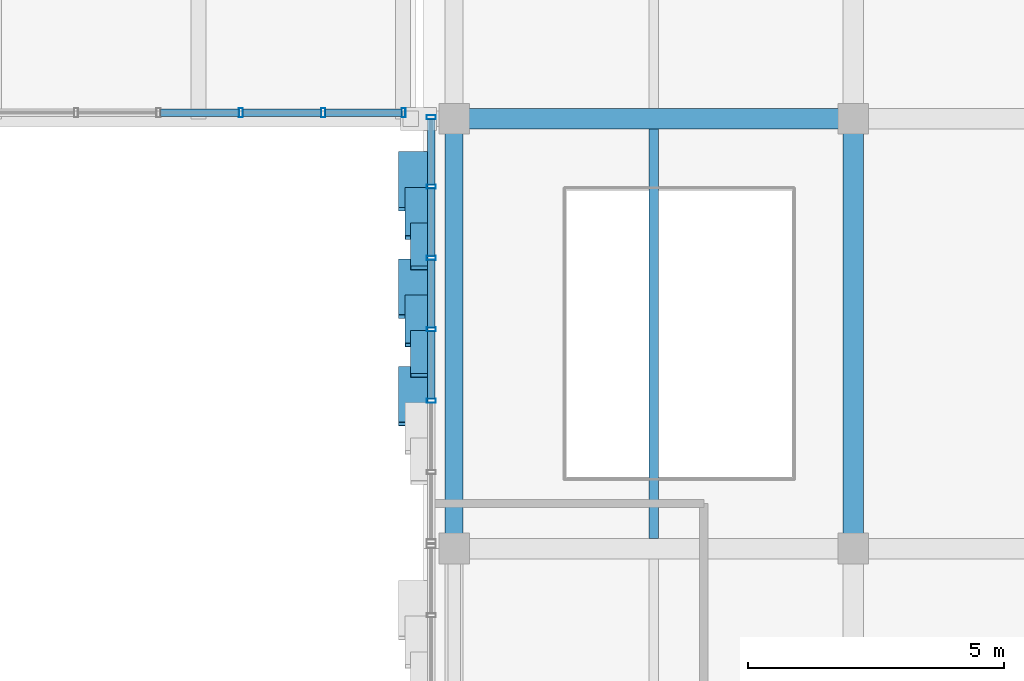
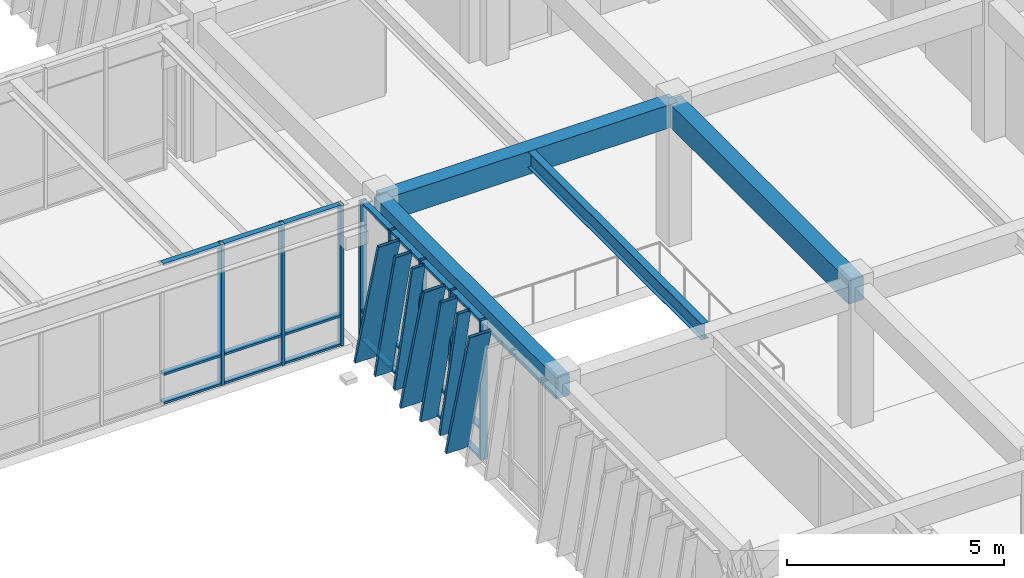
# One storey, part 62 of 127: 36 members, 4 beams, 2 elements without a shape of their own.
"""IFC4 building model written with IfcOpenShell, lengths in metres."""

from ifc_helpers import new_model, si_unit, direction, frame, origin, origin_2d, place, context, subcontext, project, spatial, rectangle, hollow_rectangle, i_section, extrude, material, layer, layer_set, material_profile, profile_set, type_object, element, aggregate, save


model = new_model("IFC4")

# Units and contexts
model_context = context("Model", 3, precision=1e-05, world=origin(), true_north=direction((0.0, 1.0)))
body_context = subcontext(model_context, "Body", "Model", "MODEL_VIEW")
ifc_project = project(units=[si_unit("LENGTHUNIT", "METRE"), si_unit("AREAUNIT", "SQUARE_METRE"), si_unit("VOLUMEUNIT", "CUBIC_METRE"), si_unit("PLANEANGLEUNIT", "RADIAN"), si_unit("MASSUNIT", "GRAM", prefix="KILO")], contexts=[model_context])

# Site, building, storey
site_placement = place(None, origin())
site = spatial("IfcSite", under=ifc_project, at=site_placement, CompositionType="ELEMENT")
building_placement = place(site_placement, origin())
building = spatial("IfcBuilding", under=site, at=building_placement, Name="Zayran Congress Hotel", CompositionType="ELEMENT")
storey_placement = place(building_placement, frame((0.0, 0.0, 10.800048828125)))
storey = spatial("IfcBuildingStorey", under=building, at=storey_placement, Name="L02", CompositionType="ELEMENT", Elevation=10.800048828125)

# Beams
ifc_material_1 = material(Name="Concrete C40/50", Category="concrete")
ifc_material_profile_1 = material_profile(ifc_material_1, rectangle(XDim=0.39990234375, YDim=0.64990234375, at=origin_2d()), Name="RC 400x650")
ifc_profile_set_1 = profile_set([ifc_material_profile_1], Name="Concrete C40/50")
beam_type_1 = type_object("IfcBeamType", Name="TP-BM-03", PredefinedType="BEAM", material=ifc_profile_set_1)
beam_1_placement = place(storey_placement, frame((109.800048828125, 76.0, 3.594970703125), z_axis=(1.0, 0.0, 0.0), x_axis=(0.0, 1.0, 0.0)))
element("IfcBeam", 1, at=beam_1_placement, inside=storey, type_object=beam_type_1, Name="BM-V4-L02-1424", PredefinedType="BEAM", context=body_context, shape_type="SweptSolid", body=[
    extrude(rectangle(XDim=0.39990234375, YDim=0.64990234375, at=origin_2d()), origin(), (0.0, 0.0, 1.0), 7.800048828125),
])
beam_2_placement = place(storey_placement, frame((117.60009765625, 67.60009765625, 3.594970703125), z_axis=(0.0, 1.0, 0.0), x_axis=(-1.0, 0.0, 0.0)))
element("IfcBeam", 2, at=beam_2_placement, inside=storey, type_object=beam_type_1, Name="BM-V4-L02-1449", PredefinedType="BEAM", context=body_context, shape_type="SweptSolid", body=[
    extrude(rectangle(XDim=0.39990234375, YDim=0.64990234375, at=origin_2d()), origin(), (0.0, 0.0, 1.0), 8.39990234375),
])
ifc_material_profile_2 = material_profile(ifc_material_1, rectangle(XDim=0.35009765625, YDim=0.60009765625, at=origin_2d()), Name="RC 350x600")
ifc_profile_set_2 = profile_set([ifc_material_profile_2], Name="Concrete C40/50")
beam_type_2 = type_object("IfcBeamType", Name="TP-SP-01", PredefinedType="SPANDREL", material=ifc_profile_set_2)
beam_3_placement = place(storey_placement, frame((109.800048828125, 67.60009765625, 3.619873046875), z_axis=(0.0, 1.0, 0.0), x_axis=(-1.0, 0.0, 0.0)))
element("IfcBeam", 3, at=beam_3_placement, inside=storey, type_object=beam_type_2, Name="BM-V4-L02-1442", PredefinedType="SPANDREL", context=body_context, shape_type="SweptSolid", body=[
    extrude(rectangle(XDim=0.35009765625, YDim=0.60009765625, at=origin_2d()), origin(), (0.0, 0.0, 1.0), 8.39990234375),
])
ifc_material_2 = material(Name="Steel S355", Category="steel")
ifc_material_profile_3 = material_profile(ifc_material_2, i_section(OverallWidth=0.18994140625, OverallDepth=0.449951171875, WebThickness=0.009521484375, FlangeThickness=0.0146484375, at=origin_2d()), Name="IPE 450")
ifc_profile_set_3 = profile_set([ifc_material_profile_3], Name="Steel S355")
beam_type_3 = type_object("IfcBeamType", Name="TP-JS-02", PredefinedType="JOIST", material=ifc_profile_set_3)
beam_4_placement = place(storey_placement, frame((113.699951171875, 67.800048828125, 3.695068359375), z_axis=(0.0, 1.0, 0.0), x_axis=(-1.0, 0.0, 0.0)))
element("IfcBeam", 4, at=beam_4_placement, inside=storey, type_object=beam_type_3, Name="JST-V4-L02-1472", PredefinedType="JOIST", context=body_context, shape_type="SweptSolid", body=[
    extrude(i_section(OverallWidth=0.18994140625, OverallDepth=0.449951171875, WebThickness=0.009521484375, FlangeThickness=0.0146484375, at=origin_2d()), origin(), (0.0, 0.0, 1.0), 8.0),
])

# Curtain wall, members
ifc_material_3 = material(Name="Anodised aluminium and low-E insulated glass", Category="aluminium")
ifc_layer_1 = layer(ifc_material_3, 0.179931640625)
ifc_layer_set_1 = layer_set([ifc_layer_1], Name="Anodised aluminium and low-E insulated glass")
curtain_wall_type_1 = type_object("IfcCurtainWallType", Name="CW-V4W-L02-CW-51-8371-3920", PredefinedType="USERDEFINED", material=ifc_layer_set_1)
curtain_wall_1_placement = place(storey_placement, origin())
curtain_wall_1 = element("IfcCurtainWall", 5, at=curtain_wall_1_placement, inside=storey, type_object=curtain_wall_type_1, Name="CW-V4W-L02-3", ObjectType="CURTAIN WALL", PredefinedType="USERDEFINED")
ifc_material_4 = material(Name="Anodised aluminium framing", Category="aluminium")
ifc_material_profile_4 = material_profile(ifc_material_4, hollow_rectangle(XDim=0.080078125, YDim=0.179931640625, WallThickness=0.0048828125, at=origin_2d()), Name="RHS 180x80x5")
ifc_profile_set_4 = profile_set([ifc_material_profile_4], Name="Anodised aluminium framing")
member_type_1 = type_object("IfcMemberType", Name="TP-CWM-01", PredefinedType="MULLION", material=ifc_profile_set_4)
member_1_placement = place(storey_placement, frame((109.35009765625, 76.030029296875, 0.0), z_axis=(0.0, 0.0, 1.0), x_axis=(0.0, 1.0, 0.0)))
member_1 = element("IfcMember", 6, at=member_1_placement, type_object=member_type_1, Name="CW-V4W-L02-3-M00", PredefinedType="MULLION", context=body_context, shape_type="SweptSolid", body=[
    extrude(hollow_rectangle(XDim=0.080078125, YDim=0.179931640625, WallThickness=0.0048828125, at=origin_2d()), origin(), (0.0, 0.0, 1.0), 3.919921875),
])
member_2_placement = place(storey_placement, frame((109.35009765625, 74.6748046875, 0.0), z_axis=(0.0, 0.0, 1.0), x_axis=(0.0, 1.0, 0.0)))
member_2 = element("IfcMember", 7, at=member_2_placement, type_object=member_type_1, Name="CW-V4W-L02-3-M01", PredefinedType="MULLION", context=body_context, shape_type="SweptSolid", body=[
    extrude(hollow_rectangle(XDim=0.080078125, YDim=0.179931640625, WallThickness=0.0048828125, at=origin_2d()), origin(), (0.0, 0.0, 1.0), 3.919921875),
])
member_3_placement = place(storey_placement, frame((109.35009765625, 73.27978515625, 0.0), z_axis=(0.0, 0.0, 1.0), x_axis=(0.0, 1.0, 0.0)))
member_3 = element("IfcMember", 8, at=member_3_placement, type_object=member_type_1, Name="CW-V4W-L02-3-M02", PredefinedType="MULLION", context=body_context, shape_type="SweptSolid", body=[
    extrude(hollow_rectangle(XDim=0.080078125, YDim=0.179931640625, WallThickness=0.0048828125, at=origin_2d()), origin(), (0.0, 0.0, 1.0), 3.919921875),
])
member_4_placement = place(storey_placement, frame((109.35009765625, 71.884521484375, 0.0), z_axis=(0.0, 0.0, 1.0), x_axis=(0.0, 1.0, 0.0)))
member_4 = element("IfcMember", 9, at=member_4_placement, type_object=member_type_1, Name="CW-V4W-L02-3-M03", PredefinedType="MULLION", context=body_context, shape_type="SweptSolid", body=[
    extrude(hollow_rectangle(XDim=0.080078125, YDim=0.179931640625, WallThickness=0.0048828125, at=origin_2d()), origin(), (0.0, 0.0, 1.0), 3.919921875),
])
member_5_placement = place(storey_placement, frame((109.35009765625, 70.4892578125, 0.0), z_axis=(0.0, 0.0, 1.0), x_axis=(0.0, 1.0, 0.0)))
member_5 = element("IfcMember", 10, at=member_5_placement, type_object=member_type_1, Name="CW-V4W-L02-3-M04", PredefinedType="MULLION", context=body_context, shape_type="SweptSolid", body=[
    extrude(hollow_rectangle(XDim=0.080078125, YDim=0.179931640625, WallThickness=0.0048828125, at=origin_2d()), origin(), (0.0, 0.0, 1.0), 3.919921875),
])

ifc_layer_2 = layer(ifc_material_3, 0.179931640625)
ifc_layer_set_2 = layer_set([ifc_layer_2], Name="Anodised aluminium and low-E insulated glass")
curtain_wall_type_2 = type_object("IfcCurtainWallType", Name="CW-BR1-L02-CW-BR1-16100-3960", PredefinedType="USERDEFINED", material=ifc_layer_set_2)
curtain_wall_2_placement = place(storey_placement, origin())
curtain_wall_2 = element("IfcCurtainWall", 11, at=curtain_wall_2_placement, inside=storey, type_object=curtain_wall_type_2, Name="CW-BR1S-L02", ObjectType="CURTAIN WALL", PredefinedType="USERDEFINED")
member_6_placement = place(storey_placement, frame((105.6298828125, 76.1201171875, 0.0), z_axis=(0.0, 0.0, 1.0), x_axis=(1.0, 0.0, 0.0)))
member_6 = element("IfcMember", 12, at=member_6_placement, type_object=member_type_1, Name="CW-BR1S-L02-M08", PredefinedType="MULLION", context=body_context, shape_type="SweptSolid", body=[
    extrude(hollow_rectangle(XDim=0.080078125, YDim=0.179931640625, WallThickness=0.0048828125, at=origin_2d()), origin(), (0.0, 0.0, 1.0), 3.9599609375),
])
member_7_placement = place(storey_placement, frame((107.239990234375, 76.1201171875, 0.0), z_axis=(0.0, 0.0, 1.0), x_axis=(1.0, 0.0, 0.0)))
member_7 = element("IfcMember", 13, at=member_7_placement, type_object=member_type_1, Name="CW-BR1S-L02-M09", PredefinedType="MULLION", context=body_context, shape_type="SweptSolid", body=[
    extrude(hollow_rectangle(XDim=0.080078125, YDim=0.179931640625, WallThickness=0.0048828125, at=origin_2d()), origin(), (0.0, 0.0, 1.0), 3.9599609375),
])
member_8_placement = place(storey_placement, frame((108.81005859375, 76.1201171875, 0.0), z_axis=(0.0, 0.0, 1.0), x_axis=(1.0, 0.0, 0.0)))
member_8 = element("IfcMember", 14, at=member_8_placement, type_object=member_type_1, Name="CW-BR1S-L02-M10", PredefinedType="MULLION", context=body_context, shape_type="SweptSolid", body=[
    extrude(hollow_rectangle(XDim=0.080078125, YDim=0.179931640625, WallThickness=0.0048828125, at=origin_2d()), origin(), (0.0, 0.0, 1.0), 3.9599609375),
])

# Member
ifc_material_profile_5 = material_profile(ifc_material_4, hollow_rectangle(XDim=0.06005859375, YDim=0.14990234375, WallThickness=0.00390625, at=origin_2d()), Name="RHS 150x60x4")
ifc_profile_set_5 = profile_set([ifc_material_profile_5], Name="Anodised aluminium framing")
member_type_2 = type_object("IfcMemberType", Name="TP-CWT-01", PredefinedType="USERDEFINED", material=ifc_profile_set_5)
member_9_placement = place(storey_placement, frame((109.35009765625, 75.989990234375, 0.030029296875), z_axis=(0.0, -1.0, 0.0), x_axis=(0.0, 0.0, 1.0)))
member_9 = element("IfcMember", 15, at=member_9_placement, type_object=member_type_2, Name="CW-V4W-L02-3-T00-0", ObjectType="TRANSOM", PredefinedType="USERDEFINED", context=body_context, shape_type="SweptSolid", body=[
    extrude(hollow_rectangle(XDim=0.06005859375, YDim=0.14990234375, WallThickness=0.00390625, at=origin_2d()), origin(), (0.0, 0.0, 1.0), 1.275146484375),
])

member_10_placement = place(storey_placement, frame((109.35009765625, 75.989990234375, 0.83984375), z_axis=(0.0, -1.0, 0.0), x_axis=(0.0, 0.0, 1.0)))
member_10 = element("IfcMember", 16, at=member_10_placement, type_object=member_type_2, Name="CW-V4W-L02-3-T00-1", ObjectType="TRANSOM", PredefinedType="USERDEFINED", context=body_context, shape_type="SweptSolid", body=[
    extrude(hollow_rectangle(XDim=0.06005859375, YDim=0.14990234375, WallThickness=0.00390625, at=origin_2d()), origin(), (0.0, 0.0, 1.0), 1.275146484375),
])

member_11_placement = place(storey_placement, frame((109.35009765625, 75.989990234375, 3.889892578125), z_axis=(0.0, -1.0, 0.0), x_axis=(0.0, 0.0, 1.0)))
member_11 = element("IfcMember", 17, at=member_11_placement, type_object=member_type_2, Name="CW-V4W-L02-3-T00-2", ObjectType="TRANSOM", PredefinedType="USERDEFINED", context=body_context, shape_type="SweptSolid", body=[
    extrude(hollow_rectangle(XDim=0.06005859375, YDim=0.14990234375, WallThickness=0.00390625, at=origin_2d()), origin(), (0.0, 0.0, 1.0), 1.275146484375),
])

member_12_placement = place(storey_placement, frame((109.35009765625, 74.634765625, 0.030029296875), z_axis=(0.0, -1.0, 0.0), x_axis=(0.0, 0.0, 1.0)))
member_12 = element("IfcMember", 18, at=member_12_placement, type_object=member_type_2, Name="CW-V4W-L02-3-T01-0", ObjectType="TRANSOM", PredefinedType="USERDEFINED", context=body_context, shape_type="SweptSolid", body=[
    extrude(hollow_rectangle(XDim=0.06005859375, YDim=0.14990234375, WallThickness=0.00390625, at=origin_2d()), origin(), (0.0, 0.0, 1.0), 1.315185546875),
])

member_13_placement = place(storey_placement, frame((109.35009765625, 74.634765625, 0.83984375), z_axis=(0.0, -1.0, 0.0), x_axis=(0.0, 0.0, 1.0)))
member_13 = element("IfcMember", 19, at=member_13_placement, type_object=member_type_2, Name="CW-V4W-L02-3-T01-1", ObjectType="TRANSOM", PredefinedType="USERDEFINED", context=body_context, shape_type="SweptSolid", body=[
    extrude(hollow_rectangle(XDim=0.06005859375, YDim=0.14990234375, WallThickness=0.00390625, at=origin_2d()), origin(), (0.0, 0.0, 1.0), 1.315185546875),
])

member_14_placement = place(storey_placement, frame((109.35009765625, 74.634765625, 3.889892578125), z_axis=(0.0, -1.0, 0.0), x_axis=(0.0, 0.0, 1.0)))
member_14 = element("IfcMember", 20, at=member_14_placement, type_object=member_type_2, Name="CW-V4W-L02-3-T01-2", ObjectType="TRANSOM", PredefinedType="USERDEFINED", context=body_context, shape_type="SweptSolid", body=[
    extrude(hollow_rectangle(XDim=0.06005859375, YDim=0.14990234375, WallThickness=0.00390625, at=origin_2d()), origin(), (0.0, 0.0, 1.0), 1.315185546875),
])

member_15_placement = place(storey_placement, frame((109.35009765625, 73.23974609375, 0.030029296875), z_axis=(0.0, -1.0, 0.0), x_axis=(0.0, 0.0, 1.0)))
member_15 = element("IfcMember", 21, at=member_15_placement, type_object=member_type_2, Name="CW-V4W-L02-3-T02-0", ObjectType="TRANSOM", PredefinedType="USERDEFINED", context=body_context, shape_type="SweptSolid", body=[
    extrude(hollow_rectangle(XDim=0.06005859375, YDim=0.14990234375, WallThickness=0.00390625, at=origin_2d()), origin(), (0.0, 0.0, 1.0), 1.315185546875),
])

member_16_placement = place(storey_placement, frame((109.35009765625, 73.23974609375, 0.83984375), z_axis=(0.0, -1.0, 0.0), x_axis=(0.0, 0.0, 1.0)))
member_16 = element("IfcMember", 22, at=member_16_placement, type_object=member_type_2, Name="CW-V4W-L02-3-T02-1", ObjectType="TRANSOM", PredefinedType="USERDEFINED", context=body_context, shape_type="SweptSolid", body=[
    extrude(hollow_rectangle(XDim=0.06005859375, YDim=0.14990234375, WallThickness=0.00390625, at=origin_2d()), origin(), (0.0, 0.0, 1.0), 1.315185546875),
])

member_17_placement = place(storey_placement, frame((109.35009765625, 73.23974609375, 3.889892578125), z_axis=(0.0, -1.0, 0.0), x_axis=(0.0, 0.0, 1.0)))
member_17 = element("IfcMember", 23, at=member_17_placement, type_object=member_type_2, Name="CW-V4W-L02-3-T02-2", ObjectType="TRANSOM", PredefinedType="USERDEFINED", context=body_context, shape_type="SweptSolid", body=[
    extrude(hollow_rectangle(XDim=0.06005859375, YDim=0.14990234375, WallThickness=0.00390625, at=origin_2d()), origin(), (0.0, 0.0, 1.0), 1.315185546875),
])

member_18_placement = place(storey_placement, frame((109.35009765625, 71.844482421875, 0.030029296875), z_axis=(0.0, -1.0, 0.0), x_axis=(0.0, 0.0, 1.0)))
member_18 = element("IfcMember", 24, at=member_18_placement, type_object=member_type_2, Name="CW-V4W-L02-3-T03-0", ObjectType="TRANSOM", PredefinedType="USERDEFINED", context=body_context, shape_type="SweptSolid", body=[
    extrude(hollow_rectangle(XDim=0.06005859375, YDim=0.14990234375, WallThickness=0.00390625, at=origin_2d()), origin(), (0.0, 0.0, 1.0), 1.315185546875),
])

member_19_placement = place(storey_placement, frame((109.35009765625, 71.844482421875, 0.83984375), z_axis=(0.0, -1.0, 0.0), x_axis=(0.0, 0.0, 1.0)))
member_19 = element("IfcMember", 25, at=member_19_placement, type_object=member_type_2, Name="CW-V4W-L02-3-T03-1", ObjectType="TRANSOM", PredefinedType="USERDEFINED", context=body_context, shape_type="SweptSolid", body=[
    extrude(hollow_rectangle(XDim=0.06005859375, YDim=0.14990234375, WallThickness=0.00390625, at=origin_2d()), origin(), (0.0, 0.0, 1.0), 1.315185546875),
])

member_20_placement = place(storey_placement, frame((109.35009765625, 71.844482421875, 3.889892578125), z_axis=(0.0, -1.0, 0.0), x_axis=(0.0, 0.0, 1.0)))
member_20 = element("IfcMember", 26, at=member_20_placement, type_object=member_type_2, Name="CW-V4W-L02-3-T03-2", ObjectType="TRANSOM", PredefinedType="USERDEFINED", context=body_context, shape_type="SweptSolid", body=[
    extrude(hollow_rectangle(XDim=0.06005859375, YDim=0.14990234375, WallThickness=0.00390625, at=origin_2d()), origin(), (0.0, 0.0, 1.0), 1.315185546875),
])

member_21_placement = place(storey_placement, frame((104.06005859375, 76.1201171875, 0.030029296875), z_axis=(1.0, 0.0, 0.0), x_axis=(0.0, 0.0, 1.0)))
member_21 = element("IfcMember", 27, at=member_21_placement, type_object=member_type_2, Name="CW-BR1S-L02-T07-0", ObjectType="TRANSOM", PredefinedType="USERDEFINED", context=body_context, shape_type="SweptSolid", body=[
    extrude(hollow_rectangle(XDim=0.06005859375, YDim=0.14990234375, WallThickness=0.00390625, at=origin_2d()), origin(), (0.0, 0.0, 1.0), 1.530029296875),
])

member_22_placement = place(storey_placement, frame((104.06005859375, 76.1201171875, 0.83984375), z_axis=(1.0, 0.0, 0.0), x_axis=(0.0, 0.0, 1.0)))
member_22 = element("IfcMember", 28, at=member_22_placement, type_object=member_type_2, Name="CW-BR1S-L02-T07-1", ObjectType="TRANSOM", PredefinedType="USERDEFINED", context=body_context, shape_type="SweptSolid", body=[
    extrude(hollow_rectangle(XDim=0.06005859375, YDim=0.14990234375, WallThickness=0.00390625, at=origin_2d()), origin(), (0.0, 0.0, 1.0), 1.530029296875),
])

member_23_placement = place(storey_placement, frame((104.06005859375, 76.1201171875, 3.929931640625), z_axis=(1.0, 0.0, 0.0), x_axis=(0.0, 0.0, 1.0)))
member_23 = element("IfcMember", 29, at=member_23_placement, type_object=member_type_2, Name="CW-BR1S-L02-T07-2", ObjectType="TRANSOM", PredefinedType="USERDEFINED", context=body_context, shape_type="SweptSolid", body=[
    extrude(hollow_rectangle(XDim=0.06005859375, YDim=0.14990234375, WallThickness=0.00390625, at=origin_2d()), origin(), (0.0, 0.0, 1.0), 1.530029296875),
])

member_24_placement = place(storey_placement, frame((105.669921875, 76.1201171875, 0.030029296875), z_axis=(1.0, 0.0, 0.0), x_axis=(0.0, 0.0, 1.0)))
member_24 = element("IfcMember", 30, at=member_24_placement, type_object=member_type_2, Name="CW-BR1S-L02-T08-0", ObjectType="TRANSOM", PredefinedType="USERDEFINED", context=body_context, shape_type="SweptSolid", body=[
    extrude(hollow_rectangle(XDim=0.06005859375, YDim=0.14990234375, WallThickness=0.00390625, at=origin_2d()), origin(), (0.0, 0.0, 1.0), 1.530029296875),
])

member_25_placement = place(storey_placement, frame((105.669921875, 76.1201171875, 0.83984375), z_axis=(1.0, 0.0, 0.0), x_axis=(0.0, 0.0, 1.0)))
member_25 = element("IfcMember", 31, at=member_25_placement, type_object=member_type_2, Name="CW-BR1S-L02-T08-1", ObjectType="TRANSOM", PredefinedType="USERDEFINED", context=body_context, shape_type="SweptSolid", body=[
    extrude(hollow_rectangle(XDim=0.06005859375, YDim=0.14990234375, WallThickness=0.00390625, at=origin_2d()), origin(), (0.0, 0.0, 1.0), 1.530029296875),
])

member_26_placement = place(storey_placement, frame((105.669921875, 76.1201171875, 3.929931640625), z_axis=(1.0, 0.0, 0.0), x_axis=(0.0, 0.0, 1.0)))
member_26 = element("IfcMember", 32, at=member_26_placement, type_object=member_type_2, Name="CW-BR1S-L02-T08-2", ObjectType="TRANSOM", PredefinedType="USERDEFINED", context=body_context, shape_type="SweptSolid", body=[
    extrude(hollow_rectangle(XDim=0.06005859375, YDim=0.14990234375, WallThickness=0.00390625, at=origin_2d()), origin(), (0.0, 0.0, 1.0), 1.530029296875),
])

member_27_placement = place(storey_placement, frame((107.280029296875, 76.1201171875, 0.030029296875), z_axis=(1.0, 0.0, 0.0), x_axis=(0.0, 0.0, 1.0)))
member_27 = element("IfcMember", 33, at=member_27_placement, type_object=member_type_2, Name="CW-BR1S-L02-T09-0", ObjectType="TRANSOM", PredefinedType="USERDEFINED", context=body_context, shape_type="SweptSolid", body=[
    extrude(hollow_rectangle(XDim=0.06005859375, YDim=0.14990234375, WallThickness=0.00390625, at=origin_2d()), origin(), (0.0, 0.0, 1.0), 1.489990234375),
])

member_28_placement = place(storey_placement, frame((107.280029296875, 76.1201171875, 0.83984375), z_axis=(1.0, 0.0, 0.0), x_axis=(0.0, 0.0, 1.0)))
member_28 = element("IfcMember", 34, at=member_28_placement, type_object=member_type_2, Name="CW-BR1S-L02-T09-1", ObjectType="TRANSOM", PredefinedType="USERDEFINED", context=body_context, shape_type="SweptSolid", body=[
    extrude(hollow_rectangle(XDim=0.06005859375, YDim=0.14990234375, WallThickness=0.00390625, at=origin_2d()), origin(), (0.0, 0.0, 1.0), 1.489990234375),
])

member_29_placement = place(storey_placement, frame((107.280029296875, 76.1201171875, 3.929931640625), z_axis=(1.0, 0.0, 0.0), x_axis=(0.0, 0.0, 1.0)))
member_29 = element("IfcMember", 35, at=member_29_placement, type_object=member_type_2, Name="CW-BR1S-L02-T09-2", ObjectType="TRANSOM", PredefinedType="USERDEFINED", context=body_context, shape_type="SweptSolid", body=[
    extrude(hollow_rectangle(XDim=0.06005859375, YDim=0.14990234375, WallThickness=0.00390625, at=origin_2d()), origin(), (0.0, 0.0, 1.0), 1.489990234375),
])

aggregate(curtain_wall_2, [member_6, member_7, member_8, member_21, member_22, member_23, member_24, member_25, member_26, member_27, member_28, member_29])

ifc_material_5 = material(Name="Warm bronze anodised aluminium", Category="aluminium")
ifc_material_profile_6 = material_profile(ifc_material_5, hollow_rectangle(XDim=0.080078125, YDim=0.580078125, WallThickness=0.006103515625, at=origin_2d()), Name="RHS 580x80x6")
ifc_profile_set_6 = profile_set([ifc_material_profile_6], Name="Warm bronze anodised aluminium")
member_type_3 = type_object("IfcMemberType", Name="TP-RFN-01", PredefinedType="MULLION", material=ifc_profile_set_6)
member_30_placement = place(storey_placement, frame((109.0, 75.320068359375, 0.0), z_axis=(0.0, -0.267253820088, 0.963626170072), x_axis=(0.0, 0.963626170072, 0.267253820088)))
member_30 = element("IfcMember", 36, at=member_30_placement, type_object=member_type_3, Name="Slanting Reed Mullion CW-51-01", PredefinedType="MULLION", context=body_context, shape_type="SweptSolid", body=[
    extrude(hollow_rectangle(XDim=0.080078125, YDim=0.580078125, WallThickness=0.006103515625, at=origin_2d()), origin(), (0.0, 0.0, 1.0), 4.06787109375),
])

member_31_placement = place(storey_placement, frame((109.0, 73.219970703125, 0.0), z_axis=(0.0, -0.267253820088, 0.963626170072), x_axis=(0.0, 0.963626170072, 0.267253820088)))
member_31 = element("IfcMember", 37, at=member_31_placement, type_object=member_type_3, Name="Slanting Reed Mullion CW-51-04", PredefinedType="MULLION", context=body_context, shape_type="SweptSolid", body=[
    extrude(hollow_rectangle(XDim=0.080078125, YDim=0.580078125, WallThickness=0.006103515625, at=origin_2d()), origin(), (0.0, 0.0, 1.0), 4.06787109375),
])

member_32_placement = place(storey_placement, frame((109.0, 71.1201171875, 0.0), z_axis=(0.0, -0.267253820088, 0.963626170072), x_axis=(0.0, 0.963626170072, 0.267253820088)))
member_32 = element("IfcMember", 38, at=member_32_placement, type_object=member_type_3, Name="Slanting Reed Mullion CW-51-07", PredefinedType="MULLION", context=body_context, shape_type="SweptSolid", body=[
    extrude(hollow_rectangle(XDim=0.080078125, YDim=0.580078125, WallThickness=0.006103515625, at=origin_2d()), origin(), (0.0, 0.0, 1.0), 4.06787109375),
])

ifc_material_profile_7 = material_profile(ifc_material_5, hollow_rectangle(XDim=0.080078125, YDim=0.449951171875, WallThickness=0.006103515625, at=origin_2d()), Name="RHS 450x80x6")
ifc_profile_set_7 = profile_set([ifc_material_profile_7], Name="Warm bronze anodised aluminium")
member_type_4 = type_object("IfcMemberType", Name="TP-RFN-02", PredefinedType="MULLION", material=ifc_profile_set_7)
member_33_placement = place(storey_placement, frame((109.06494140625, 74.6201171875, 0.0), z_axis=(0.0, -0.233462281113, 0.972365858768), x_axis=(0.0, 0.972365858768, 0.233462281113)))
member_33 = element("IfcMember", 39, at=member_33_placement, type_object=member_type_4, Name="Slanting Reed Mullion CW-51-02", PredefinedType="MULLION", context=body_context, shape_type="SweptSolid", body=[
    extrude(hollow_rectangle(XDim=0.080078125, YDim=0.449951171875, WallThickness=0.006103515625, at=origin_2d()), origin(), (0.0, 0.0, 1.0), 4.03125),
])

member_34_placement = place(storey_placement, frame((109.06494140625, 72.52001953125, 0.0), z_axis=(0.0, -0.233462281113, 0.972365858768), x_axis=(0.0, 0.972365858768, 0.233462281113)))
member_34 = element("IfcMember", 40, at=member_34_placement, type_object=member_type_4, Name="Slanting Reed Mullion CW-51-05", PredefinedType="MULLION", context=body_context, shape_type="SweptSolid", body=[
    extrude(hollow_rectangle(XDim=0.080078125, YDim=0.449951171875, WallThickness=0.006103515625, at=origin_2d()), origin(), (0.0, 0.0, 1.0), 4.03125),
])

ifc_material_profile_8 = material_profile(ifc_material_5, hollow_rectangle(XDim=0.080078125, YDim=0.340087890625, WallThickness=0.006103515625, at=origin_2d()), Name="RHS 340x80x6")
ifc_profile_set_8 = profile_set([ifc_material_profile_8], Name="Warm bronze anodised aluminium")
member_type_5 = type_object("IfcMemberType", Name="TP-RFN-03", PredefinedType="MULLION", material=ifc_profile_set_8)
member_35_placement = place(storey_placement, frame((109.1201171875, 73.919921875, 0.0), z_axis=(0.0, -0.207864584765, 0.978157612249), x_axis=(0.0, 0.978157612249, 0.207864584765)))
member_35 = element("IfcMember", 41, at=member_35_placement, type_object=member_type_5, Name="Slanting Reed Mullion CW-51-03", PredefinedType="MULLION", context=body_context, shape_type="SweptSolid", body=[
    extrude(hollow_rectangle(XDim=0.080078125, YDim=0.340087890625, WallThickness=0.006103515625, at=origin_2d()), origin(), (0.0, 0.0, 1.0), 4.007568359375),
])

member_36_placement = place(storey_placement, frame((109.1201171875, 71.820068359375, 0.0), z_axis=(0.0, -0.207922873001, 0.978145223821), x_axis=(0.0, 0.978145223821, 0.207922873001)))
member_36 = element("IfcMember", 42, at=member_36_placement, type_object=member_type_5, Name="Slanting Reed Mullion CW-51-06", PredefinedType="MULLION", context=body_context, shape_type="SweptSolid", body=[
    extrude(hollow_rectangle(XDim=0.080078125, YDim=0.340087890625, WallThickness=0.006103515625, at=origin_2d()), origin(), (0.0, 0.0, 1.0), 4.007568359375),
])

aggregate(curtain_wall_1, [member_1, member_2, member_3, member_4, member_5, member_9, member_10, member_11, member_12, member_13, member_14, member_15, member_16, member_17, member_18, member_19, member_20, member_30, member_33, member_35, member_31, member_34, member_36, member_32])

save(model, "model.ifc")
